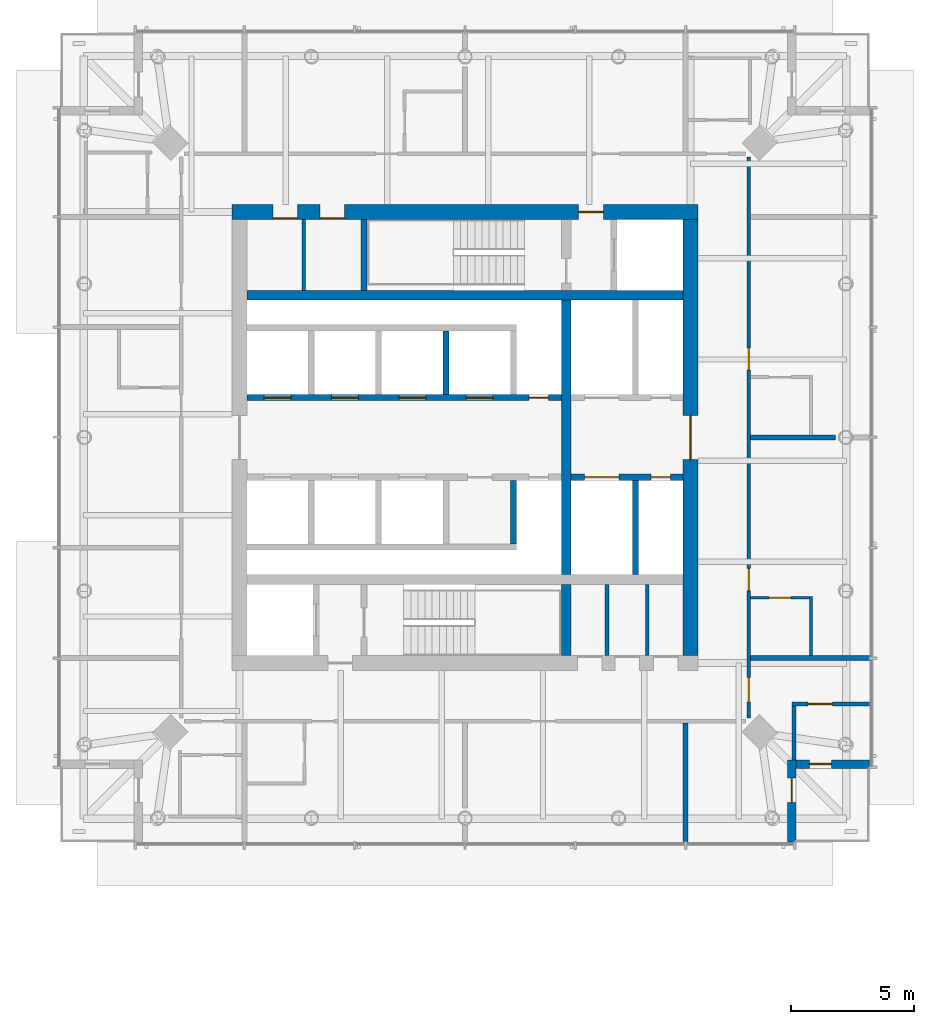
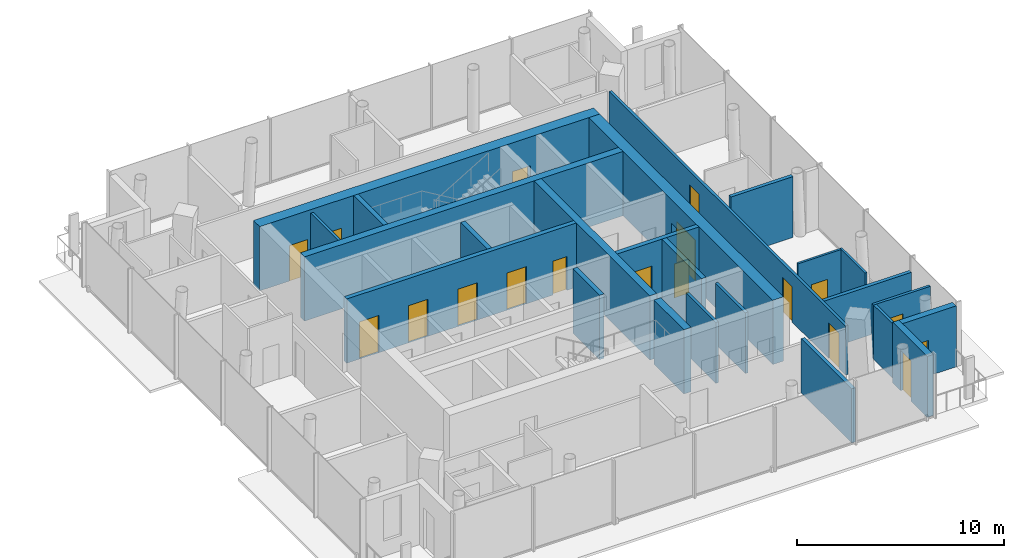
# One storey, part 14 of 20: 24 walls, 18 doors, 18 openings.
"""IFC4 building model written with IfcOpenShell, lengths in metres."""

from ifc_helpers import new_model, si_unit, direction, frame, frame_2d, origin, place, context, subcontext, project, spatial, rectangle, extrude, material, layer, layer_set, type_object, element, fill, save


model = new_model("IFC4")

# Units and contexts
model_context = context("Model", 3, precision=1e-05, world=origin(), true_north=direction((0.0, 1.0)))
body_context = subcontext(model_context, "Body", "Model", "MODEL_VIEW")
ifc_project = project(units=[si_unit("LENGTHUNIT", "METRE"), si_unit("AREAUNIT", "SQUARE_METRE"), si_unit("VOLUMEUNIT", "CUBIC_METRE"), si_unit("PLANEANGLEUNIT", "RADIAN"), si_unit("MASSUNIT", "GRAM", prefix="KILO")], contexts=[model_context])

# Site, building, storey
site_placement = place(None, origin())
site = spatial("IfcSite", under=ifc_project, at=site_placement, CompositionType="ELEMENT")
building_placement = place(site_placement, origin())
building = spatial("IfcBuilding", under=site, at=building_placement, Name="Ostroluk Exchange", CompositionType="ELEMENT")
storey_placement = place(building_placement, frame((0.0, 0.0, 100.800048828125)))
storey = spatial("IfcBuildingStorey", under=building, at=storey_placement, Name="L25", CompositionType="ELEMENT", Elevation=100.800048828125)

# Walls
ifc_material_1 = material(Name="Concrete blockwork", Category="masonry")
ifc_layer_1 = layer(ifc_material_1, 0.14990234375)
ifc_layer_set_1 = layer_set([ifc_layer_1], Name="Blockwork plant room wall 150")
wall_type_1 = type_object("IfcWallType", Name="Blockwork plant room wall 150", PredefinedType="SOLIDWALL", material=ifc_layer_set_1)
for number, where, z_axis, x_axis, name in (
    (1, (122.79248046875, 37.10009765625, 0.0), (0.0, 0.0, 1.0), (0.0, 1.0, 0.0), "Core room wall"),
    (2, (124.4375, 37.10009765625, 0.0), (0.0, 0.0, 1.0), (0.0, 1.0, 0.0), "Core room wall"),
    (3, (110.425048828125, 52.0, 0.0), (0.0, 0.0, 1.0), (0.0, 1.0, 0.0), "Core room wall"),
):
    element("IfcWall", number, at=place(storey_placement, frame(where, z_axis=z_axis, x_axis=x_axis)), inside=storey, type_object=wall_type_1, Name=name, PredefinedType="SOLIDWALL", context=body_context, shape_type="SweptSolid", body=[
        extrude(rectangle(XDim=2.89990234375, YDim=0.14990234375, at=frame_2d((1.449951171875, 0.0))), origin(), (0.0, 0.0, 1.0), 3.599853515625),
    ])
ifc_material_2 = material(Name="Concrete C50/60", Category="concrete")
ifc_layer_2 = layer(ifc_material_2, 0.39990234375)
ifc_layer_set_2 = layer_set([ifc_layer_2], Name="Core cross wall 400 C50/60")
wall_type_2 = type_object("IfcWallType", Name="Core cross wall 400 C50/60", PredefinedType="SHEAR", material=ifc_layer_set_2)
wall_1_placement = place(storey_placement, frame((108.10009765625, 51.800048828125, 0.0), z_axis=(0.0, 0.0, 1.0), x_axis=(1.0, 0.0, 0.0)))
element("IfcWall", 4, at=wall_1_placement, inside=storey, type_object=wall_type_2, Name="T2 core wall XN", PredefinedType="SHEAR", context=body_context, shape_type="SweptSolid", body=[
    extrude(rectangle(XDim=17.7998046875, YDim=0.39990234375, at=frame_2d((8.89990234375, 0.0))), origin(), (0.0, 0.0, 1.0), 3.800048828125),
])
wall_2_placement = place(storey_placement, frame((121.1298828125, 37.10009765625, 0.0), z_axis=(0.0, 0.0, 1.0), x_axis=(0.0, 1.0, 0.0)))
element("IfcWall", 5, at=wall_2_placement, inside=storey, type_object=wall_type_2, Name="T2 core wall YE1", PredefinedType="SHEAR", context=body_context, shape_type="SweptSolid", body=[
    extrude(rectangle(XDim=2.89990234375, YDim=0.39990234375, at=frame_2d((1.449951171875, 0.0))), origin(), (0.0, 0.0, 1.0), 3.800048828125),
])
wall_3_placement = place(storey_placement, frame((121.1298828125, 40.39990234375, 0.0), z_axis=(0.0, 0.0, 1.0), x_axis=(0.0, 1.0, 0.0)))
element("IfcWall", 6, at=wall_3_placement, inside=storey, type_object=wall_type_2, Name="T2 core wall YE2", PredefinedType="SHEAR", context=body_context, shape_type="SweptSolid", body=[
    extrude(rectangle(XDim=11.2001953125, YDim=0.39990234375, at=frame_2d((5.60009765625, 0.0))), origin(), (0.0, 0.0, 1.0), 3.800048828125),
])
ifc_material_3 = material(Name="Concrete C40/50", Category="concrete")
ifc_layer_3 = layer(ifc_material_3, 0.25)
ifc_layer_set_3 = layer_set([ifc_layer_3], Name="Core shaft wall 250")
wall_type_3 = type_object("IfcWallType", Name="Core shaft wall 250", PredefinedType="SHEAR", material=ifc_layer_set_3)
wall_4_placement = place(storey_placement, frame((112.875, 52.0, 0.0), z_axis=(0.0, 0.0, 1.0), x_axis=(0.0, 1.0, 0.0)))
element("IfcWall", 7, at=wall_4_placement, inside=storey, type_object=wall_type_3, Name="Stair shaft wall", PredefinedType="SHEAR", context=body_context, shape_type="SweptSolid", body=[
    extrude(rectangle(XDim=2.89990234375, YDim=0.25, at=frame_2d((1.449951171875, 0.0))), origin(), (0.0, 0.0, 1.0), 3.800048828125),
])
wall_5_placement = place(storey_placement, frame((116.22509765625, 47.75, 0.0), z_axis=(0.0, 0.0, 1.0), x_axis=(0.0, 1.0, 0.0)))
element("IfcWall", 8, at=wall_5_placement, inside=storey, type_object=wall_type_3, Name="Lift shaft wall", PredefinedType="SHEAR", context=body_context, shape_type="SweptSolid", body=[
    extrude(rectangle(XDim=2.60009765625, YDim=0.25, at=frame_2d((1.300048828125, 0.0))), origin(), (0.0, 0.0, 1.0), 3.800048828125),
])

# Wall, openings, doors
wall_6_placement = place(storey_placement, frame((108.10009765625, 47.625, 0.0), z_axis=(0.0, 0.0, 1.0), x_axis=(1.0, 0.0, 0.0)))
wall_6 = element("IfcWall", 9, at=wall_6_placement, inside=storey, type_object=wall_type_3, Name="Lift shaft front wall", PredefinedType="SHEAR", context=body_context, shape_type="SweptSolid", body=[
    extrude(rectangle(XDim=12.829833984375, YDim=0.25, at=frame_2d((6.4150390625, 0.0))), origin(), (0.0, 0.0, 1.0), 3.800048828125),
])
opening_1_placement = place(wall_6_placement, frame((0.699951171875, 0.0, 0.0)))
opening_1 = element("IfcOpeningElement", 10, at=opening_1_placement, cuts=wall_6, Name="Opening LD", PredefinedType="OPENING", context=body_context, shape_type="SweptSolid", body=[
    extrude(rectangle(XDim=1.10009765625, YDim=2.199951171875, at=frame_2d((0.550048828125, 1.10009765625))), frame((0.0, 0.135009765625, 0.0), z_axis=(0.0, -1.0, 0.0), x_axis=(1.0, 0.0, 0.0)), (0.0, 0.0, 1.0), 0.27001953125),
])
opening_2_placement = place(wall_6_placement, frame((3.449951171875, 0.0, 0.0)))
opening_2 = element("IfcOpeningElement", 11, at=opening_2_placement, cuts=wall_6, Name="Opening LD", PredefinedType="OPENING", context=body_context, shape_type="SweptSolid", body=[
    extrude(rectangle(XDim=1.10009765625, YDim=2.199951171875, at=frame_2d((0.550048828125, 1.10009765625))), frame((0.0, 0.135009765625, 0.0), z_axis=(0.0, -1.0, 0.0), x_axis=(1.0, 0.0, 0.0)), (0.0, 0.0, 1.0), 0.27001953125),
])
opening_3_placement = place(wall_6_placement, frame((6.199951171875, 0.0, 0.0)))
opening_3 = element("IfcOpeningElement", 12, at=opening_3_placement, cuts=wall_6, Name="Opening LD", PredefinedType="OPENING", context=body_context, shape_type="SweptSolid", body=[
    extrude(rectangle(XDim=1.10009765625, YDim=2.199951171875, at=frame_2d((0.550048828125, 1.10009765625))), frame((0.0, 0.135009765625, 0.0), z_axis=(0.0, -1.0, 0.0), x_axis=(1.0, 0.0, 0.0)), (0.0, 0.0, 1.0), 0.27001953125),
])
opening_4_placement = place(wall_6_placement, frame((8.949951171875, 0.0, 0.0)))
opening_4 = element("IfcOpeningElement", 13, at=opening_4_placement, cuts=wall_6, Name="Opening LD", PredefinedType="OPENING", context=body_context, shape_type="SweptSolid", body=[
    extrude(rectangle(XDim=1.10009765625, YDim=2.199951171875, at=frame_2d((0.550048828125, 1.10009765625))), frame((0.0, 0.135009765625, 0.0), z_axis=(0.0, -1.0, 0.0), x_axis=(1.0, 0.0, 0.0)), (0.0, 0.0, 1.0), 0.27001953125),
])
opening_5_placement = place(wall_6_placement, frame((11.514892578125, 0.0, 0.0)))
opening_5 = element("IfcOpeningElement", 14, at=opening_5_placement, cuts=wall_6, Name="Opening RD60", PredefinedType="OPENING", context=body_context, shape_type="SweptSolid", body=[
    extrude(rectangle(XDim=0.800048828125, YDim=2.0, at=frame_2d((0.39990234375, 1.0))), frame((0.0, 0.135009765625, 0.0), z_axis=(0.0, -1.0, 0.0), x_axis=(1.0, 0.0, 0.0)), (0.0, 0.0, 1.0), 0.27001953125),
])
ifc_material_4 = material(Name="Stainless steel", Category="steel")
door_type_1 = type_object("IfcDoorType", Name="Lift landing door E 60 1100 x 2200", OperationType="DOUBLE_DOOR_SLIDING", PredefinedType="DOOR", material=ifc_material_4)
door_1_placement = place(opening_1_placement, origin())
door_1 = element("IfcDoor", 15, at=door_1_placement, inside=storey, type_object=door_type_1, Name="Lift HL1 landing door", OperationType="DOUBLE_DOOR_SLIDING", OverallHeight=2.199951171875, OverallWidth=1.10009765625, PredefinedType="DOOR", context=body_context, shape_type="SweptSolid", body=[
    extrude(rectangle(XDim=1.10009765625, YDim=2.199951171875, at=frame_2d((0.550048828125, 1.10009765625))), frame((0.0, 0.02490234375, 0.0), z_axis=(0.0, -1.0, 0.0), x_axis=(1.0, 0.0, 0.0)), (0.0, 0.0, 1.0), 0.050048828125),
])
fill(opening_1, door_1)
door_2_placement = place(opening_2_placement, origin())
door_2 = element("IfcDoor", 16, at=door_2_placement, inside=storey, type_object=door_type_1, Name="Lift HL2 landing door", OperationType="DOUBLE_DOOR_SLIDING", OverallHeight=2.199951171875, OverallWidth=1.10009765625, PredefinedType="DOOR", context=body_context, shape_type="SweptSolid", body=[
    extrude(rectangle(XDim=1.10009765625, YDim=2.199951171875, at=frame_2d((0.550048828125, 1.10009765625))), frame((0.0, 0.02490234375, 0.0), z_axis=(0.0, -1.0, 0.0), x_axis=(1.0, 0.0, 0.0)), (0.0, 0.0, 1.0), 0.050048828125),
])
fill(opening_2, door_2)
door_3_placement = place(opening_3_placement, origin())
door_3 = element("IfcDoor", 17, at=door_3_placement, inside=storey, type_object=door_type_1, Name="Lift HL3 landing door", OperationType="DOUBLE_DOOR_SLIDING", OverallHeight=2.199951171875, OverallWidth=1.10009765625, PredefinedType="DOOR", context=body_context, shape_type="SweptSolid", body=[
    extrude(rectangle(XDim=1.10009765625, YDim=2.199951171875, at=frame_2d((0.550048828125, 1.10009765625))), frame((0.0, 0.02490234375, 0.0), z_axis=(0.0, -1.0, 0.0), x_axis=(1.0, 0.0, 0.0)), (0.0, 0.0, 1.0), 0.050048828125),
])
fill(opening_3, door_3)
door_4_placement = place(opening_4_placement, origin())
door_4 = element("IfcDoor", 18, at=door_4_placement, inside=storey, type_object=door_type_1, Name="Lift HL4 landing door", OperationType="DOUBLE_DOOR_SLIDING", OverallHeight=2.199951171875, OverallWidth=1.10009765625, PredefinedType="DOOR", context=body_context, shape_type="SweptSolid", body=[
    extrude(rectangle(XDim=1.10009765625, YDim=2.199951171875, at=frame_2d((0.550048828125, 1.10009765625))), frame((0.0, 0.02490234375, 0.0), z_axis=(0.0, -1.0, 0.0), x_axis=(1.0, 0.0, 0.0)), (0.0, 0.0, 1.0), 0.050048828125),
])
fill(opening_4, door_4)
ifc_material_5 = material(Name="Steel", Category="steel")
door_type_2 = type_object("IfcDoorType", Name="Riser access door EI 60 800 x 2000", OperationType="SINGLE_SWING_LEFT", PredefinedType="DOOR", material=ifc_material_5)
door_5_placement = place(opening_5_placement, origin())
door_5 = element("IfcDoor", 19, at=door_5_placement, inside=storey, type_object=door_type_2, Name="Riser access door", OperationType="SINGLE_SWING_RIGHT", OverallHeight=2.0, OverallWidth=0.800048828125, PredefinedType="DOOR", context=body_context, shape_type="SweptSolid", body=[
    extrude(rectangle(XDim=0.800048828125, YDim=2.0, at=frame_2d((0.39990234375, 1.0))), frame((0.0, 0.02490234375, 0.0), z_axis=(0.0, -1.0, 0.0), x_axis=(1.0, 0.0, 0.0)), (0.0, 0.0, 1.0), 0.050048828125),
])
fill(opening_5, door_5)

# Walls
wall_7_placement = place(storey_placement, frame((118.97509765625, 44.25, 0.0), z_axis=(0.0, 0.0, 1.0), x_axis=(0.0, -1.0, 0.0)))
element("IfcWall", 20, at=wall_7_placement, inside=storey, type_object=wall_type_3, Name="Lift shaft wall", PredefinedType="SHEAR", context=body_context, shape_type="SweptSolid", body=[
    extrude(rectangle(XDim=2.60009765625, YDim=0.25, at=frame_2d((1.300048828125, 0.0))), origin(), (0.0, 0.0, 1.0), 3.800048828125),
])
wall_8_placement = place(storey_placement, frame((123.955078125, 44.25, 0.0), z_axis=(0.0, 0.0, 1.0), x_axis=(0.0, -1.0, 0.0)))
element("IfcWall", 21, at=wall_8_placement, inside=storey, type_object=wall_type_3, Name="Lift shaft wall", PredefinedType="SHEAR", context=body_context, shape_type="SweptSolid", body=[
    extrude(rectangle(XDim=3.85009765625, YDim=0.25, at=frame_2d((1.925048828125, 0.0))), origin(), (0.0, 0.0, 1.0), 3.800048828125),
])

# Wall, openings, doors
wall_9_placement = place(storey_placement, frame((121.330078125, 44.375, 0.0), z_axis=(0.0, 0.0, 1.0), x_axis=(1.0, 0.0, 0.0)))
wall_9 = element("IfcWall", 22, at=wall_9_placement, inside=storey, type_object=wall_type_3, Name="Lift shaft front wall", PredefinedType="SHEAR", context=body_context, shape_type="SweptSolid", body=[
    extrude(rectangle(XDim=4.56982421875, YDim=0.25, at=frame_2d((2.284912109375, 0.0))), origin(), (0.0, 0.0, 1.0), 3.800048828125),
])
opening_6_placement = place(wall_9_placement, frame((0.550048828125, 0.0, 0.0)))
opening_6 = element("IfcOpeningElement", 23, at=opening_6_placement, cuts=wall_9, Name="Opening LD3", PredefinedType="OPENING", context=body_context, shape_type="SweptSolid", body=[
    extrude(rectangle(XDim=1.39990234375, YDim=2.39990234375, at=frame_2d((0.699951171875, 1.199951171875))), frame((0.0, 0.135009765625, 0.0), z_axis=(0.0, -1.0, 0.0), x_axis=(1.0, 0.0, 0.0)), (0.0, 0.0, 1.0), 0.27001953125),
])
opening_7_placement = place(wall_9_placement, frame((3.260009765625, 0.0, 0.0)))
opening_7 = element("IfcOpeningElement", 24, at=opening_7_placement, cuts=wall_9, Name="Opening RD60", PredefinedType="OPENING", context=body_context, shape_type="SweptSolid", body=[
    extrude(rectangle(XDim=0.800048828125, YDim=2.0, at=frame_2d((0.39990234375, 1.0))), frame((0.0, 0.135009765625, 0.0), z_axis=(0.0, -1.0, 0.0), x_axis=(1.0, 0.0, 0.0)), (0.0, 0.0, 1.0), 0.27001953125),
])
ifc_material_6 = material(Name="Stainless steel", Category="steel")
door_type_3 = type_object("IfcDoorType", Name="Goods lift landing door E 60 1400 x 2400", OperationType="DOUBLE_DOOR_SLIDING", PredefinedType="DOOR", material=ifc_material_6)
door_6_placement = place(opening_6_placement, origin())
door_6 = element("IfcDoor", 25, at=door_6_placement, inside=storey, type_object=door_type_3, Name="Lift HS2 landing door", OperationType="DOUBLE_DOOR_SLIDING", OverallHeight=2.39990234375, OverallWidth=1.39990234375, PredefinedType="DOOR", context=body_context, shape_type="SweptSolid", body=[
    extrude(rectangle(XDim=1.39990234375, YDim=2.39990234375, at=frame_2d((0.699951171875, 1.199951171875))), frame((0.0, 0.02490234375, 0.0), z_axis=(0.0, -1.0, 0.0), x_axis=(1.0, 0.0, 0.0)), (0.0, 0.0, 1.0), 0.050048828125),
])
fill(opening_6, door_6)
door_7_placement = place(opening_7_placement, origin())
door_7 = element("IfcDoor", 26, at=door_7_placement, inside=storey, type_object=door_type_2, Name="Riser access door", OperationType="SINGLE_SWING_RIGHT", OverallHeight=2.0, OverallWidth=0.800048828125, PredefinedType="DOOR", context=body_context, shape_type="SweptSolid", body=[
    extrude(rectangle(XDim=0.800048828125, YDim=2.0, at=frame_2d((0.39990234375, 1.0))), frame((0.0, 0.02490234375, 0.0), z_axis=(0.0, -1.0, 0.0), x_axis=(1.0, 0.0, 0.0)), (0.0, 0.0, 1.0), 0.050048828125),
])
fill(opening_7, door_7)

ifc_material_7 = material(Name="Concrete C50/60", Category="concrete")
ifc_layer_4 = layer(ifc_material_7, 0.60009765625)
ifc_layer_set_4 = layer_set([ifc_layer_4], Name="Core wall 600 C50/60")
wall_type_4 = type_object("IfcWallType", Name="Core wall 600 C50/60", PredefinedType="SHEAR", material=ifc_layer_set_4)
wall_10_placement = place(storey_placement, frame((107.5, 55.199951171875, 0.0), z_axis=(0.0, 0.0, 1.0), x_axis=(1.0, 0.0, 0.0)))
wall_10 = element("IfcWall", 27, at=wall_10_placement, inside=storey, type_object=wall_type_4, Name="T2 core wall N", PredefinedType="SHEAR", context=body_context, shape_type="SweptSolid", body=[
    extrude(rectangle(XDim=19.0, YDim=0.60009765625, at=frame_2d((9.5, 0.0))), origin(), (0.0, 0.0, 1.0), 3.800048828125),
])
opening_8_placement = place(wall_10_placement, frame((14.139892578125, 0.0, 0.0)))
opening_8 = element("IfcOpeningElement", 28, at=opening_8_placement, cuts=wall_10, Name="Opening FD60", PredefinedType="OPENING", context=body_context, shape_type="SweptSolid", body=[
    extrude(rectangle(XDim=1.0, YDim=2.10009765625, at=frame_2d((0.5, 1.050048828125))), frame((0.0, 0.31005859375, 0.0), z_axis=(0.0, -1.0, 0.0), x_axis=(1.0, 0.0, 0.0)), (0.0, 0.0, 1.0), 0.6201171875),
])
opening_9_placement = place(wall_10_placement, frame((1.675048828125, 0.0, 0.0)))
opening_9 = element("IfcOpeningElement", 29, at=opening_9_placement, cuts=wall_10, Name="Opening FD60", PredefinedType="OPENING", context=body_context, shape_type="SweptSolid", body=[
    extrude(rectangle(XDim=1.0, YDim=2.10009765625, at=frame_2d((0.5, 1.050048828125))), frame((0.0, 0.31005859375, 0.0), z_axis=(0.0, -1.0, 0.0), x_axis=(1.0, 0.0, 0.0)), (0.0, 0.0, 1.0), 0.6201171875),
])
opening_10_placement = place(wall_10_placement, frame((3.58740234375, 0.0, 0.0)))
opening_10 = element("IfcOpeningElement", 30, at=opening_10_placement, cuts=wall_10, Name="Opening FD60", PredefinedType="OPENING", context=body_context, shape_type="SweptSolid", body=[
    extrude(rectangle(XDim=1.0, YDim=2.10009765625, at=frame_2d((0.5, 1.050048828125))), frame((0.0, 0.31005859375, 0.0), z_axis=(0.0, -1.0, 0.0), x_axis=(1.0, 0.0, 0.0)), (0.0, 0.0, 1.0), 0.6201171875),
])
ifc_material_8 = material(Name="Steel", Category="steel")
door_type_4 = type_object("IfcDoorType", Name="Fire door EI 60 1000 x 2100", OperationType="SINGLE_SWING_LEFT", PredefinedType="DOOR", material=ifc_material_8)
door_8_placement = place(opening_8_placement, origin())
door_8 = element("IfcDoor", 31, at=door_8_placement, inside=storey, type_object=door_type_4, Name="Firefighting lobby door", OperationType="SINGLE_SWING_RIGHT", OverallHeight=2.10009765625, OverallWidth=1.0, PredefinedType="DOOR", context=body_context, shape_type="SweptSolid", body=[
    extrude(rectangle(XDim=1.0, YDim=2.10009765625, at=frame_2d((0.5, 1.050048828125))), frame((0.0, 0.02490234375, 0.0), z_axis=(0.0, -1.0, 0.0), x_axis=(1.0, 0.0, 0.0)), (0.0, 0.0, 1.0), 0.050048828125),
])
fill(opening_8, door_8)
door_9_placement = place(opening_9_placement, origin())
door_9 = element("IfcDoor", 32, at=door_9_placement, inside=storey, type_object=door_type_4, Name="Room-service pantry door", OperationType="SINGLE_SWING_LEFT", OverallHeight=2.10009765625, OverallWidth=1.0, PredefinedType="DOOR", context=body_context, shape_type="SweptSolid", body=[
    extrude(rectangle(XDim=1.0, YDim=2.10009765625, at=frame_2d((0.5, 1.050048828125))), frame((0.0, -0.23974609375, 0.0), z_axis=(0.0, -1.0, 0.0), x_axis=(1.0, 0.0, 0.0)), (0.0, 0.0, 1.0), 0.050048828125),
])
fill(opening_9, door_9)
door_10_placement = place(opening_10_placement, origin())
door_10 = element("IfcDoor", 33, at=door_10_placement, inside=storey, type_object=door_type_4, Name="Guest pantry door", OperationType="SINGLE_SWING_LEFT", OverallHeight=2.10009765625, OverallWidth=1.0, PredefinedType="DOOR", context=body_context, shape_type="SweptSolid", body=[
    extrude(rectangle(XDim=1.0, YDim=2.10009765625, at=frame_2d((0.5, 1.050048828125))), frame((0.0, -0.23974609375, 0.0), z_axis=(0.0, -1.0, 0.0), x_axis=(1.0, 0.0, 0.0)), (0.0, 0.0, 1.0), 0.050048828125),
])
fill(opening_10, door_10)

# Wall, opening, door
wall_11_placement = place(storey_placement, frame((126.199951171875, 37.10009765625, 0.0), z_axis=(0.0, 0.0, 1.0), x_axis=(0.0, 1.0, 0.0)))
wall_11 = element("IfcWall", 34, at=wall_11_placement, inside=storey, type_object=wall_type_4, Name="T2 core wall E", PredefinedType="SHEAR", context=body_context, shape_type="SweptSolid", body=[
    extrude(rectangle(XDim=17.7998046875, YDim=0.60009765625, at=frame_2d((8.89990234375, 0.0))), origin(), (0.0, 0.0, 1.0), 3.800048828125),
])
opening_11_placement = place(wall_11_placement, frame((8.0, 0.0, 0.0)))
opening_11 = element("IfcOpeningElement", 35, at=opening_11_placement, cuts=wall_11, Name="Opening FD30D", PredefinedType="OPENING", context=body_context, shape_type="SweptSolid", body=[
    extrude(rectangle(XDim=1.800048828125, YDim=2.39990234375, at=frame_2d((0.89990234375, 1.199951171875))), frame((0.0, 0.31005859375, 0.0), z_axis=(0.0, -1.0, 0.0), x_axis=(1.0, 0.0, 0.0)), (0.0, 0.0, 1.0), 0.6201171875),
])
ifc_material_9 = material(Name="Timber", Category="wood")
door_type_5 = type_object("IfcDoorType", Name="Lobby double door EI 30 1800 x 2400", OperationType="DOUBLE_DOOR_SINGLE_SWING", PredefinedType="DOOR", material=ifc_material_9)
door_11_placement = place(opening_11_placement, origin())
door_11 = element("IfcDoor", 36, at=door_11_placement, inside=storey, type_object=door_type_5, Name="Lift lobby doors", OperationType="DOUBLE_DOOR_SINGLE_SWING", OverallHeight=2.39990234375, OverallWidth=1.800048828125, PredefinedType="DOOR", context=body_context, shape_type="SweptSolid", body=[
    extrude(rectangle(XDim=1.800048828125, YDim=2.39990234375, at=frame_2d((0.89990234375, 1.199951171875))), frame((0.0, 0.02490234375, 0.0), z_axis=(0.0, -1.0, 0.0), x_axis=(1.0, 0.0, 0.0)), (0.0, 0.0, 1.0), 0.050048828125),
])
fill(opening_11, door_11)

ifc_material_10 = material(Name="Limestone", Category="masonry")
ifc_layer_5 = layer(ifc_material_10, 0.35009765625)
ifc_layer_set_5 = layer_set([ifc_layer_5], Name="Limestone facade wall 350")
wall_type_5 = type_object("IfcWallType", Name="Limestone facade wall 350", PredefinedType="SOLIDWALL", material=ifc_layer_set_5)
wall_12_placement = place(storey_placement, frame((130.324951171875, 29.5, 0.0), z_axis=(0.0, 0.0, 1.0), x_axis=(0.0, 1.0, 0.0)))
wall_12 = element("IfcWall", 37, at=wall_12_placement, inside=storey, type_object=wall_type_5, Name="Hotel tower SE corner wall L25 a", PredefinedType="SOLIDWALL", context=body_context, shape_type="SweptSolid", body=[
    extrude(rectangle(XDim=3.35009765625, YDim=0.35009765625, at=frame_2d((1.675048828125, 0.0))), origin(), (0.0, 0.0, 1.0), 3.599853515625),
])
opening_12_placement = place(wall_12_placement, frame((1.60009765625, 0.0, 0.0)))
opening_12 = element("IfcOpeningElement", 38, at=opening_12_placement, cuts=wall_12, Name="Opening D-B1", PredefinedType="OPENING", context=body_context, shape_type="SweptSolid", body=[
    extrude(rectangle(XDim=1.0, YDim=2.39990234375, at=frame_2d((0.5, 1.199951171875))), frame((0.0, 0.18505859375, 0.0), z_axis=(0.0, -1.0, 0.0), x_axis=(1.0, 0.0, 0.0)), (0.0, 0.0, 1.0), 0.3701171875),
])
ifc_material_11 = material(Name="Bronze framed glazed door", Category="aluminium")
door_type_6 = type_object("IfcDoorType", Name="Balcony door 1000 x 2400", OperationType="SINGLE_SWING_LEFT", PredefinedType="DOOR", material=ifc_material_11)
door_12_placement = place(opening_12_placement, origin())
door_12 = element("IfcDoor", 39, at=door_12_placement, inside=storey, type_object=door_type_6, Name="Hotel tower SE balcony door L25", OperationType="SINGLE_SWING_RIGHT", OverallHeight=2.39990234375, OverallWidth=1.0, PredefinedType="DOOR", context=body_context, shape_type="SweptSolid", body=[
    extrude(rectangle(XDim=1.0, YDim=2.39990234375, at=frame_2d((0.5, 1.199951171875))), frame((0.0, 0.02490234375, 0.0), z_axis=(0.0, -1.0, 0.0), x_axis=(1.0, 0.0, 0.0)), (0.0, 0.0, 1.0), 0.050048828125),
])
fill(opening_12, door_12)

wall_13_placement = place(storey_placement, frame((130.5, 32.675048828125, 0.0), z_axis=(0.0, 0.0, 1.0), x_axis=(1.0, 0.0, 0.0)))
wall_13 = element("IfcWall", 40, at=wall_13_placement, inside=storey, type_object=wall_type_5, Name="Hotel tower SE corner wall L25 b", PredefinedType="SOLIDWALL", context=body_context, shape_type="SweptSolid", body=[
    extrude(rectangle(XDim=3.0, YDim=0.35009765625, at=frame_2d((1.5, 0.0))), origin(), (0.0, 0.0, 1.0), 3.599853515625),
])
opening_13_placement = place(wall_13_placement, frame((0.550048828125, 0.0, 0.0)))
opening_13 = element("IfcOpeningElement", 41, at=opening_13_placement, cuts=wall_13, Name="Opening D-M1", PredefinedType="OPENING", context=body_context, shape_type="SweptSolid", body=[
    extrude(rectangle(XDim=0.89990234375, YDim=2.10009765625, at=frame_2d((0.449951171875, 1.050048828125))), frame((0.0, 0.18505859375, 0.0), z_axis=(0.0, -1.0, 0.0), x_axis=(1.0, 0.0, 0.0)), (0.0, 0.0, 1.0), 0.3701171875),
])
ifc_material_12 = material(Name="Steel door", Category="steel")
door_type_7 = type_object("IfcDoorType", Name="Maintenance access door 900 x 2100", OperationType="SINGLE_SWING_LEFT", PredefinedType="DOOR", material=ifc_material_12)
door_13_placement = place(opening_13_placement, origin())
door_13 = element("IfcDoor", 42, at=door_13_placement, inside=storey, type_object=door_type_7, Name="Maintenance access door T2 L25 SE", OperationType="SINGLE_SWING_LEFT", OverallHeight=2.10009765625, OverallWidth=0.89990234375, PredefinedType="DOOR", context=body_context, shape_type="SweptSolid", body=[
    extrude(rectangle(XDim=0.89990234375, YDim=2.10009765625, at=frame_2d((0.449951171875, 1.050048828125))), frame((0.0, 0.02490234375, 0.0), z_axis=(0.0, -1.0, 0.0), x_axis=(1.0, 0.0, 0.0)), (0.0, 0.0, 1.0), 0.050048828125),
])
fill(opening_13, door_13)

# Wall
ifc_material_13 = material(Name="Gypsum plasterboard partition, moisture resistant", Category="gypsum")
ifc_layer_6 = layer(ifc_material_13, 0.1201171875)
ifc_layer_set_6 = layer_set([ifc_layer_6], Name="Plasterboard en-suite wall 120")
wall_type_6 = type_object("IfcWallType", Name="Plasterboard en-suite wall 120", PredefinedType="PARTITIONING", material=ifc_layer_set_6)
wall_14_placement = place(storey_placement, frame((131.110107421875, 37.10009765625, 0.0), z_axis=(0.0, 0.0, 1.0), x_axis=(0.0, 1.0, 0.0)))
element("IfcWall", 43, at=wall_14_placement, inside=storey, type_object=wall_type_6, Name="En-suite wall", PredefinedType="PARTITIONING", context=body_context, shape_type="SweptSolid", body=[
    extrude(rectangle(XDim=2.419921875, YDim=0.1201171875, at=frame_2d((1.2099609375, 0.0))), origin(), (0.0, 0.0, 1.0), 3.599853515625),
])

# Wall, opening, door
wall_15_placement = place(storey_placement, frame((128.64990234375, 39.4599609375, 0.0), z_axis=(0.0, 0.0, 1.0), x_axis=(1.0, 0.0, 0.0)))
wall_15 = element("IfcWall", 44, at=wall_15_placement, inside=storey, type_object=wall_type_6, Name="En-suite wall", PredefinedType="PARTITIONING", context=body_context, shape_type="SweptSolid", body=[
    extrude(rectangle(XDim=2.400146484375, YDim=0.1201171875, at=frame_2d((1.2001953125, 0.0))), origin(), (0.0, 0.0, 1.0), 3.599853515625),
])
opening_14_placement = place(wall_15_placement, frame((0.75, 0.0, 0.0)))
opening_14 = element("IfcOpeningElement", 45, at=opening_14_placement, cuts=wall_15, Name="Opening D-02", PredefinedType="OPENING", context=body_context, shape_type="SweptSolid", body=[
    extrude(rectangle(XDim=0.89990234375, YDim=2.10009765625, at=frame_2d((0.449951171875, 1.050048828125))), frame((0.0, 0.070068359375, 0.0), z_axis=(0.0, -1.0, 0.0), x_axis=(1.0, 0.0, 0.0)), (0.0, 0.0, 1.0), 0.14013671875),
])
ifc_material_14 = material(Name="Timber", Category="wood")
door_type_8 = type_object("IfcDoorType", Name="En-suite door 900 x 2100", OperationType="SINGLE_SWING_LEFT", PredefinedType="DOOR", material=ifc_material_14)
door_14_placement = place(opening_14_placement, origin())
door_14 = element("IfcDoor", 46, at=door_14_placement, inside=storey, type_object=door_type_8, Name="En-suite door 2501", OperationType="SINGLE_SWING_LEFT", OverallHeight=2.10009765625, OverallWidth=0.89990234375, PredefinedType="DOOR", context=body_context, shape_type="SweptSolid", body=[
    extrude(rectangle(XDim=0.89990234375, YDim=2.10009765625, at=frame_2d((0.449951171875, 1.050048828125))), frame((0.0, 0.02490234375, 0.0), z_axis=(0.0, -1.0, 0.0), x_axis=(1.0, 0.0, 0.0)), (0.0, 0.0, 1.0), 0.050048828125),
])
fill(opening_14, door_14)

# Wall, openings, doors
ifc_material_15 = material(Name="Gypsum plasterboard partition", Category="gypsum")
ifc_layer_7 = layer(ifc_material_15, 0.14990234375)
ifc_layer_set_7 = layer_set([ifc_layer_7], Name="Plasterboard partition 150")
wall_type_7 = type_object("IfcWallType", Name="Plasterboard partition 150", PredefinedType="PARTITIONING", material=ifc_layer_set_7)
wall_16_placement = place(storey_placement, frame((128.574951171875, 34.56396484375, 0.0), z_axis=(0.0, 0.0, 1.0), x_axis=(0.0, 1.0, 0.0)))
wall_16 = element("IfcWall", 47, at=wall_16_placement, inside=storey, type_object=wall_type_7, Name="Corridor wall", PredefinedType="PARTITIONING", context=body_context, shape_type="SweptSolid", body=[
    extrude(rectangle(XDim=22.8720703125, YDim=0.14990234375, at=frame_2d((11.43603515625, 0.0))), origin(), (0.0, 0.0, 1.0), 2.89990234375),
])
opening_15_placement = place(wall_16_placement, frame((0.635986328125, 0.0, 0.0)))
opening_15 = element("IfcOpeningElement", 48, at=opening_15_placement, cuts=wall_16, Name="Opening D-03", PredefinedType="OPENING", context=body_context, shape_type="SweptSolid", body=[
    extrude(rectangle(XDim=1.0, YDim=2.10009765625, at=frame_2d((0.5, 1.050048828125))), frame((0.0, 0.0849609375, 0.0), z_axis=(0.0, -1.0, 0.0), x_axis=(1.0, 0.0, 0.0)), (0.0, 0.0, 1.0), 0.169921875),
])
opening_16_placement = place(wall_16_placement, frame((5.18603515625, 0.0, 0.0)))
opening_16 = element("IfcOpeningElement", 49, at=opening_16_placement, cuts=wall_16, Name="Opening D-01", PredefinedType="OPENING", context=body_context, shape_type="SweptSolid", body=[
    extrude(rectangle(XDim=0.89990234375, YDim=2.10009765625, at=frame_2d((0.449951171875, 1.050048828125))), frame((0.0, 0.0849609375, 0.0), z_axis=(0.0, -1.0, 0.0), x_axis=(1.0, 0.0, 0.0)), (0.0, 0.0, 1.0), 0.169921875),
])
opening_17_placement = place(wall_16_placement, frame((14.18603515625, 0.0, 0.0)))
opening_17 = element("IfcOpeningElement", 50, at=opening_17_placement, cuts=wall_16, Name="Opening D-01", PredefinedType="OPENING", context=body_context, shape_type="SweptSolid", body=[
    extrude(rectangle(XDim=0.89990234375, YDim=2.10009765625, at=frame_2d((0.449951171875, 1.050048828125))), frame((0.0, 0.0849609375, 0.0), z_axis=(0.0, -1.0, 0.0), x_axis=(1.0, 0.0, 0.0)), (0.0, 0.0, 1.0), 0.169921875),
])
ifc_material_16 = material(Name="Timber", Category="wood")
door_type_9 = type_object("IfcDoorType", Name="Hotel room door EI 30 Sa 900 x 2100", OperationType="SINGLE_SWING_LEFT", PredefinedType="DOOR", material=ifc_material_16)
door_15_placement = place(opening_16_placement, origin())
door_15 = element("IfcDoor", 51, at=door_15_placement, inside=storey, type_object=door_type_9, Name="Room door 2501", OperationType="SINGLE_SWING_LEFT", OverallHeight=2.10009765625, OverallWidth=0.89990234375, PredefinedType="DOOR", context=body_context, shape_type="SweptSolid", body=[
    extrude(rectangle(XDim=0.89990234375, YDim=2.10009765625, at=frame_2d((0.449951171875, 1.050048828125))), frame((0.0, 0.02490234375, 0.0), z_axis=(0.0, -1.0, 0.0), x_axis=(1.0, 0.0, 0.0)), (0.0, 0.0, 1.0), 0.050048828125),
])
fill(opening_16, door_15)
door_16_placement = place(opening_17_placement, origin())
door_16 = element("IfcDoor", 52, at=door_16_placement, inside=storey, type_object=door_type_9, Name="Room door 2502", OperationType="SINGLE_SWING_RIGHT", OverallHeight=2.10009765625, OverallWidth=0.89990234375, PredefinedType="DOOR", context=body_context, shape_type="SweptSolid", body=[
    extrude(rectangle(XDim=0.89990234375, YDim=2.10009765625, at=frame_2d((0.449951171875, 1.050048828125))), frame((0.0, 0.02490234375, 0.0), z_axis=(0.0, -1.0, 0.0), x_axis=(1.0, 0.0, 0.0)), (0.0, 0.0, 1.0), 0.050048828125),
])
fill(opening_17, door_16)
ifc_material_17 = material(Name="Timber", Category="wood")
door_type_10 = type_object("IfcDoorType", Name="Internal door 1000 x 2100", OperationType="SINGLE_SWING_LEFT", PredefinedType="DOOR", material=ifc_material_17)
door_17_placement = place(opening_15_placement, origin())
door_17 = element("IfcDoor", 53, at=door_17_placement, inside=storey, type_object=door_type_10, Name="Guest lounge door", OperationType="SINGLE_SWING_LEFT", OverallHeight=2.10009765625, OverallWidth=1.0, PredefinedType="DOOR", context=body_context, shape_type="SweptSolid", body=[
    extrude(rectangle(XDim=1.0, YDim=2.10009765625, at=frame_2d((0.5, 1.050048828125))), frame((0.0, 0.02490234375, 0.0), z_axis=(0.0, -1.0, 0.0), x_axis=(1.0, 0.0, 0.0)), (0.0, 0.0, 1.0), 0.050048828125),
])
fill(opening_15, door_17)

# Wall, opening, door
wall_17_placement = place(storey_placement, frame((130.35009765625, 35.125, 0.0), z_axis=(0.0, 0.0, 1.0), x_axis=(1.0, 0.0, 0.0)))
wall_17 = element("IfcWall", 54, at=wall_17_placement, inside=storey, type_object=wall_type_7, Name="Partition", PredefinedType="PARTITIONING", context=body_context, shape_type="SweptSolid", body=[
    extrude(rectangle(XDim=3.18994140625, YDim=0.14990234375, at=frame_2d((1.594970703125, 0.0))), origin(), (0.0, 0.0, 1.0), 3.199951171875),
])
opening_18_placement = place(wall_17_placement, frame((0.64990234375, 0.0, 0.0)))
opening_18 = element("IfcOpeningElement", 55, at=opening_18_placement, cuts=wall_17, Name="Opening D-03", PredefinedType="OPENING", context=body_context, shape_type="SweptSolid", body=[
    extrude(rectangle(XDim=1.0, YDim=2.10009765625, at=frame_2d((0.5, 1.050048828125))), frame((0.0, 0.0849609375, 0.0), z_axis=(0.0, -1.0, 0.0), x_axis=(1.0, 0.0, 0.0)), (0.0, 0.0, 1.0), 0.169921875),
])
door_18_placement = place(opening_18_placement, origin())
door_18 = element("IfcDoor", 56, at=door_18_placement, inside=storey, type_object=door_type_10, Name="Facade maintenance store door", OperationType="SINGLE_SWING_LEFT", OverallHeight=2.10009765625, OverallWidth=1.0, PredefinedType="DOOR", context=body_context, shape_type="SweptSolid", body=[
    extrude(rectangle(XDim=1.0, YDim=2.10009765625, at=frame_2d((0.5, 1.050048828125))), frame((0.0, 0.02490234375, 0.0), z_axis=(0.0, -1.0, 0.0), x_axis=(1.0, 0.0, 0.0)), (0.0, 0.0, 1.0), 0.050048828125),
])
fill(opening_18, door_18)

# Walls
wall_18_placement = place(storey_placement, frame((130.425048828125, 35.050048828125, 0.0), z_axis=(0.0, 0.0, 1.0), x_axis=(0.0, -1.0, 0.0)))
element("IfcWall", 57, at=wall_18_placement, inside=storey, type_object=wall_type_7, Name="Partition", PredefinedType="PARTITIONING", context=body_context, shape_type="SweptSolid", body=[
    extrude(rectangle(XDim=2.199951171875, YDim=0.14990234375, at=frame_2d((1.10009765625, 0.0))), origin(), (0.0, 0.0, 1.0), 3.199951171875),
])
ifc_material_18 = material(Name="Gypsum plasterboard partition", Category="gypsum")
ifc_layer_8 = layer(ifc_material_18, 0.199951171875)
ifc_layer_set_8 = layer_set([ifc_layer_8], Name="Plasterboard party wall 200")
wall_type_8 = type_object("IfcWallType", Name="Plasterboard party wall 200", PredefinedType="PARTITIONING", material=ifc_layer_set_8)
wall_19_placement = place(storey_placement, frame((128.64990234375, 37.0, 0.0), z_axis=(0.0, 0.0, 1.0), x_axis=(1.0, 0.0, 0.0)))
element("IfcWall", 58, at=wall_19_placement, inside=storey, type_object=wall_type_8, Name="Party wall", PredefinedType="PARTITIONING", context=body_context, shape_type="SweptSolid", body=[
    extrude(rectangle(XDim=4.89013671875, YDim=0.199951171875, at=frame_2d((2.445068359375, 0.0))), origin(), (0.0, 0.0, 1.0), 2.89990234375),
])
wall_20_placement = place(storey_placement, frame((128.64990234375, 46.0, 0.0), z_axis=(0.0, 0.0, 1.0), x_axis=(1.0, 0.0, 0.0)))
element("IfcWall", 59, at=wall_20_placement, inside=storey, type_object=wall_type_8, Name="Party wall", PredefinedType="PARTITIONING", context=body_context, shape_type="SweptSolid", body=[
    extrude(rectangle(XDim=3.467041015625, YDim=0.199951171875, at=frame_2d((1.7333984375, 0.0))), origin(), (0.0, 0.0, 1.0), 3.599853515625),
])
wall_21_placement = place(storey_placement, frame((126.0, 34.35009765625, 0.0), z_axis=(0.0, 0.0, 1.0), x_axis=(0.0, -1.0, 0.0)))
element("IfcWall", 60, at=wall_21_placement, inside=storey, type_object=wall_type_8, Name="Party wall", PredefinedType="PARTITIONING", context=body_context, shape_type="SweptSolid", body=[
    extrude(rectangle(XDim=4.89013671875, YDim=0.199951171875, at=frame_2d((2.445068359375, 0.0))), origin(), (0.0, 0.0, 1.0), 3.199951171875),
])

save(model, "model.ifc")
